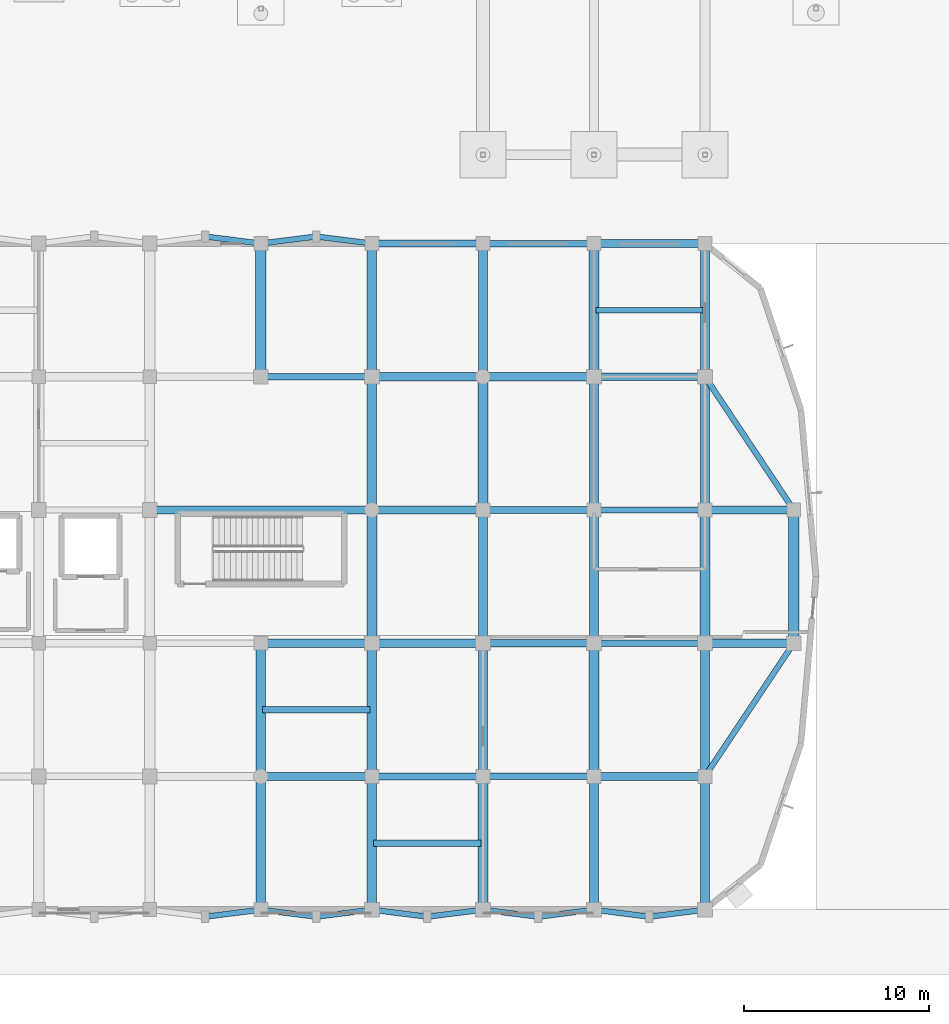
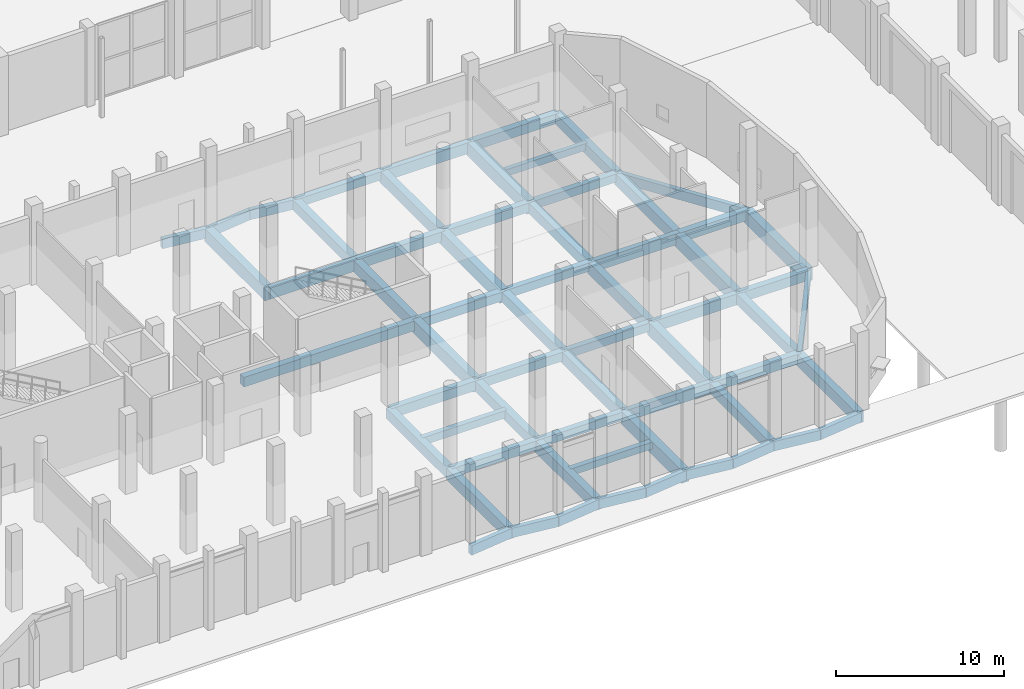
# One storey, part 46 of 103: 62 beams.
"""IFC4 building model written with IfcOpenShell, lengths in metres."""

from ifc_helpers import new_model, si_unit, direction, frame, origin, origin_2d, place, context, subcontext, project, spatial, rectangle, extrude, material, material_profile, profile_set, type_object, element, save


model = new_model("IFC4")

# Units and contexts
model_context = context("Model", 3, precision=1e-05, world=origin(), true_north=direction((0.0, 1.0)))
body_context = subcontext(model_context, "Body", "Model", "MODEL_VIEW")
ifc_project = project(units=[si_unit("LENGTHUNIT", "METRE"), si_unit("AREAUNIT", "SQUARE_METRE"), si_unit("VOLUMEUNIT", "CUBIC_METRE"), si_unit("PLANEANGLEUNIT", "RADIAN"), si_unit("MASSUNIT", "GRAM", prefix="KILO")], contexts=[model_context])

# Site, building, storey
site_placement = place(None, origin())
site = spatial("IfcSite", under=ifc_project, at=site_placement, CompositionType="ELEMENT")
building_placement = place(site_placement, origin())
building = spatial("IfcBuilding", under=site, at=building_placement, Name="Dunvalen Ferry Terminal", CompositionType="ELEMENT")
storey_placement = place(building_placement, origin())
storey = spatial("IfcBuildingStorey", under=building, at=storey_placement, Name="L00", CompositionType="ELEMENT", Elevation=0.0)

# Beams
ifc_material_1 = material(Name="Concrete C35/45", Category="concrete")
ifc_material_profile_1 = material_profile(ifc_material_1, rectangle(XDim=0.300048828125, YDim=0.5, at=origin_2d()), Name="Concrete C35/45")
ifc_profile_set_1 = profile_set([ifc_material_profile_1], Name="Concrete C35/45")
beam_type_1 = type_object("IfcBeamType", Name="STR-BM-RCB500", PredefinedType="JOIST", material=ifc_profile_set_1)
beam_1_placement = place(storey_placement, frame((84.10009765625, 32.39990234375, -0.550048828125), z_axis=(1.0, 0.0, 0.0), x_axis=(0.0, 1.0, 0.0)))
element("IfcBeam", 1, at=beam_1_placement, inside=storey, type_object=beam_type_1, Name="L00 V5P0 Secondary Joist 008", PredefinedType="JOIST", context=body_context, shape_type="SweptSolid", body=[
    extrude(rectangle(XDim=0.300048828125, YDim=0.5, at=origin_2d()), origin(), (0.0, 0.0, 1.0), 5.7998046875),
])
ifc_material_profile_2 = material_profile(ifc_material_1, rectangle(XDim=0.35009765625, YDim=0.5, at=origin_2d()), Name="Concrete C35/45")
ifc_profile_set_2 = profile_set([ifc_material_profile_2], Name="Concrete C35/45")
beam_type_2 = type_object("IfcBeamType", Name="STR-BM-RCB500W", PredefinedType="JOIST", material=ifc_profile_set_2)
beam_2_placement = place(storey_placement, frame((72.10009765625, 3.60009765625, -0.550048828125), z_axis=(1.0, 0.0, 0.0), x_axis=(0.0, 1.0, 0.0)))
element("IfcBeam", 2, at=beam_2_placement, inside=storey, type_object=beam_type_2, Name="L00 V5P0 Secondary Joist 007", PredefinedType="JOIST", context=body_context, shape_type="SweptSolid", body=[
    extrude(rectangle(XDim=0.35009765625, YDim=0.5, at=origin_2d()), origin(), (0.0, 0.0, 1.0), 5.7998046875),
])
ifc_material_profile_3 = material_profile(ifc_material_1, rectangle(XDim=0.35009765625, YDim=0.550048828125, at=origin_2d()), Name="Concrete C35/45")
ifc_profile_set_3 = profile_set([ifc_material_profile_3], Name="Concrete C35/45")
beam_type_3 = type_object("IfcBeamType", Name="STR-BM-RCB550", PredefinedType="JOIST", material=ifc_profile_set_3)
beam_3_placement = place(storey_placement, frame((66.10009765625, 10.800048828125, -0.574951171875), z_axis=(1.0, 0.0, 0.0), x_axis=(0.0, 1.0, 0.0)))
element("IfcBeam", 3, at=beam_3_placement, inside=storey, type_object=beam_type_3, Name="L00 V5P0 Secondary Joist 006", PredefinedType="JOIST", context=body_context, shape_type="SweptSolid", body=[
    extrude(rectangle(XDim=0.35009765625, YDim=0.550048828125, at=origin_2d()), origin(), (0.0, 0.0, 1.0), 5.7998046875),
])
ifc_material_profile_4 = material_profile(ifc_material_1, rectangle(XDim=0.39990234375, YDim=0.60009765625, at=origin_2d()), Name="Concrete C35/45")
ifc_profile_set_4 = profile_set([ifc_material_profile_4], Name="Concrete C35/45")
beam_type_4 = type_object("IfcBeamType", Name="STR-BM-RCB600", PredefinedType="BEAM", material=ifc_profile_set_4)
for number, where, z_axis, x_axis, name in (
    (4, (72.0, 7.199951171875, -0.60009765625), (1.0, 0.0, 0.0), (0.0, 1.0, 0.0), "L00 V5P0 Primary Beam X-026"),
    (5, (78.0, 14.39990234375, -0.60009765625), (1.0, 0.0, 0.0), (0.0, 1.0, 0.0), "L00 V5P0 Primary Beam X-042"),
    (6, (78.0, 21.60009765625, -0.60009765625), (1.0, 0.0, 0.0), (0.0, 1.0, 0.0), "L00 V5P0 Primary Beam X-050"),
    (7, (84.0, 28.800048828125, -0.60009765625), (1.0, 0.0, 0.0), (0.0, 1.0, 0.0), "L00 V5P0 Primary Beam X-066"),
    (8, (72.0, 36.0, -0.60009765625), (1.0, 0.0, 0.0), (0.0, 1.0, 0.0), "L00 V5P0 Primary Beam X-078"),
):
    element("IfcBeam", number, at=place(storey_placement, frame(where, z_axis=z_axis, x_axis=x_axis)), inside=storey, type_object=beam_type_4, Name=name, PredefinedType="BEAM", context=body_context, shape_type="SweptSolid", body=[
        extrude(rectangle(XDim=0.39990234375, YDim=0.60009765625, at=origin_2d()), origin(), (0.0, 0.0, 1.0), 6.0),
    ])
ifc_material_2 = material(Name="Concrete C40/50", Category="concrete")
ifc_material_profile_5 = material_profile(ifc_material_2, rectangle(XDim=0.449951171875, YDim=0.64990234375, at=origin_2d()), Name="Concrete C40/50")
ifc_profile_set_5 = profile_set([ifc_material_profile_5], Name="Concrete C40/50")
beam_type_5 = type_object("IfcBeamType", Name="STR-BM-RCB650W", PredefinedType="BEAM", material=ifc_profile_set_5)
for number, where, z_axis, x_axis, name in (
    (9, (66.0, 7.199951171875, -0.625), (1.0, 0.0, 0.0), (0.0, 1.0, 0.0), "L00 V5P0 Primary Beam X-025"),
    (10, (72.0, 14.39990234375, -0.625), (1.0, 0.0, 0.0), (0.0, 1.0, 0.0), "L00 V5P0 Primary Beam X-041"),
    (11, (72.0, 21.60009765625, -0.625), (1.0, 0.0, 0.0), (0.0, 1.0, 0.0), "L00 V5P0 Primary Beam X-049"),
    (12, (78.0, 28.800048828125, -0.625), (1.0, 0.0, 0.0), (0.0, 1.0, 0.0), "L00 V5P0 Primary Beam X-065"),
):
    element("IfcBeam", number, at=place(storey_placement, frame(where, z_axis=z_axis, x_axis=x_axis)), inside=storey, type_object=beam_type_5, Name=name, PredefinedType="BEAM", context=body_context, shape_type="SweptSolid", body=[
        extrude(rectangle(XDim=0.449951171875, YDim=0.64990234375, at=origin_2d()), origin(), (0.0, 0.0, 1.0), 6.0),
    ])
ifc_material_profile_6 = material_profile(ifc_material_2, rectangle(XDim=0.449951171875, YDim=0.699951171875, at=origin_2d()), Name="Concrete C40/50")
ifc_profile_set_6 = profile_set([ifc_material_profile_6], Name="Concrete C40/50")
beam_type_6 = type_object("IfcBeamType", Name="STR-BM-RCB700", PredefinedType="BEAM", material=ifc_profile_set_6)
for number, where, z_axis, x_axis, name in (
    (13, (84.0, 7.199951171875, -0.64990234375), (1.0, 0.0, 0.0), (0.0, 1.0, 0.0), "L00 V5P0 Primary Beam X-028"),
    (14, (66.0, 14.39990234375, -0.64990234375), (1.0, 0.0, 0.0), (0.0, 1.0, 0.0), "L00 V5P0 Primary Beam X-040"),
):
    element("IfcBeam", number, at=place(storey_placement, frame(where, z_axis=z_axis, x_axis=x_axis)), inside=storey, type_object=beam_type_6, Name=name, PredefinedType="BEAM", context=body_context, shape_type="SweptSolid", body=[
        extrude(rectangle(XDim=0.449951171875, YDim=0.699951171875, at=origin_2d()), origin(), (0.0, 0.0, 1.0), 6.0),
    ])
beam_4_placement = place(storey_placement, frame((90.0, 14.39990234375, -0.64990234375), z_axis=(1.0, 0.0, 0.0), x_axis=(0.0, 1.0, 0.0)))
element("IfcBeam", 15, at=beam_4_placement, inside=storey, type_object=beam_type_6, Name="L00 V5P0 Primary Beam X-044", PredefinedType="BEAM", context=body_context, shape_type="SweptSolid", body=[
    extrude(rectangle(XDim=0.449951171875, YDim=0.699951171875, at=origin_2d()), origin(), (0.0, 0.0, 1.0), 4.800048828125),
])
beam_5_placement = place(storey_placement, frame((60.0, 21.60009765625, -0.64990234375), z_axis=(1.0, 0.0, 0.0), x_axis=(0.0, 1.0, 0.0)))
element("IfcBeam", 16, at=beam_5_placement, inside=storey, type_object=beam_type_6, Name="L00 V5P0 Primary Beam X-048", PredefinedType="BEAM", context=body_context, shape_type="SweptSolid", body=[
    extrude(rectangle(XDim=0.449951171875, YDim=0.699951171875, at=origin_2d()), origin(), (0.0, 0.0, 1.0), 12.0),
])
beam_6_placement = place(storey_placement, frame((90.0, 21.60009765625, -0.64990234375), z_axis=(1.0, 0.0, 0.0), x_axis=(0.0, 1.0, 0.0)))
element("IfcBeam", 17, at=beam_6_placement, inside=storey, type_object=beam_type_6, Name="L00 V5P0 Primary Beam X-052", PredefinedType="BEAM", context=body_context, shape_type="SweptSolid", body=[
    extrude(rectangle(XDim=0.449951171875, YDim=0.699951171875, at=origin_2d()), origin(), (0.0, 0.0, 1.0), 4.800048828125),
])
for number, where, z_axis, x_axis, name in (
    (18, (72.0, 28.800048828125, -0.64990234375), (1.0, 0.0, 0.0), (0.0, 1.0, 0.0), "L00 V5P0 Primary Beam X-064"),
    (19, (84.0, 36.0, -0.64990234375), (1.0, 0.0, 0.0), (0.0, 1.0, 0.0), "L00 V5P0 Primary Beam X-080"),
):
    element("IfcBeam", number, at=place(storey_placement, frame(where, z_axis=z_axis, x_axis=x_axis)), inside=storey, type_object=beam_type_6, Name=name, PredefinedType="BEAM", context=body_context, shape_type="SweptSolid", body=[
        extrude(rectangle(XDim=0.449951171875, YDim=0.699951171875, at=origin_2d()), origin(), (0.0, 0.0, 1.0), 6.0),
    ])
ifc_material_profile_7 = material_profile(ifc_material_2, rectangle(XDim=0.5, YDim=0.75, at=origin_2d()), Name="Concrete C40/50")
ifc_profile_set_7 = profile_set([ifc_material_profile_7], Name="Concrete C40/50")
beam_type_7 = type_object("IfcBeamType", Name="STR-BM-RCB750", PredefinedType="BEAM", material=ifc_profile_set_7)
for number, where, z_axis, x_axis, name in (
    (20, (66.0, 7.199951171875, -0.675048828125), (0.0, 1.0, 0.0), (-1.0, 0.0, 0.0), "L00 V5P0 Primary Girder Y-122"),
    (21, (72.0, 7.199951171875, -0.675048828125), (0.0, 1.0, 0.0), (-1.0, 0.0, 0.0), "L00 V5P0 Primary Girder Y-125"),
    (22, (72.0, 28.800048828125, -0.675048828125), (0.0, 1.0, 0.0), (-1.0, 0.0, 0.0), "L00 V5P0 Primary Girder Y-128"),
):
    element("IfcBeam", number, at=place(storey_placement, frame(where, z_axis=z_axis, x_axis=x_axis)), inside=storey, type_object=beam_type_7, Name=name, PredefinedType="BEAM", context=body_context, shape_type="SweptSolid", body=[
        extrude(rectangle(XDim=0.5, YDim=0.75, at=origin_2d()), origin(), (0.0, 0.0, 1.0), 7.199951171875),
    ])
beam_7_placement = place(storey_placement, frame((78.0, 14.39990234375, -0.675048828125), z_axis=(0.0, 1.0, 0.0), x_axis=(-1.0, 0.0, 0.0)))
element("IfcBeam", 23, at=beam_7_placement, inside=storey, type_object=beam_type_7, Name="L00 V5P0 Primary Girder Y-131", PredefinedType="BEAM", context=body_context, shape_type="SweptSolid", body=[
    extrude(rectangle(XDim=0.5, YDim=0.75, at=origin_2d()), origin(), (0.0, 0.0, 1.0), 7.2001953125),
])
for number, where, z_axis, x_axis, name in (
    (24, (84.0, 0.0, -0.675048828125), (0.0, 1.0, 0.0), (-1.0, 0.0, 0.0), "L00 V5P0 Primary Girder Y-134"),
    (25, (84.0, 21.60009765625, -0.675048828125), (0.0, 1.0, 0.0), (-1.0, 0.0, 0.0), "L00 V5P0 Primary Girder Y-137"),
    (26, (90.0, 7.199951171875, -0.675048828125), (0.0, 1.0, 0.0), (-1.0, 0.0, 0.0), "L00 V5P0 Primary Girder Y-140"),
    (27, (90.0, 28.800048828125, -0.675048828125), (0.0, 1.0, 0.0), (-1.0, 0.0, 0.0), "L00 V5P0 Primary Girder Y-143"),
):
    element("IfcBeam", number, at=place(storey_placement, frame(where, z_axis=z_axis, x_axis=x_axis)), inside=storey, type_object=beam_type_7, Name=name, PredefinedType="BEAM", context=body_context, shape_type="SweptSolid", body=[
        extrude(rectangle(XDim=0.5, YDim=0.75, at=origin_2d()), origin(), (0.0, 0.0, 1.0), 7.199951171875),
    ])
ifc_material_profile_8 = material_profile(ifc_material_2, rectangle(XDim=0.5, YDim=0.85009765625, at=origin_2d()), Name="Concrete C40/50")
ifc_profile_set_8 = profile_set([ifc_material_profile_8], Name="Concrete C40/50")
beam_type_8 = type_object("IfcBeamType", Name="STR-BM-RCG850", PredefinedType="BEAM", material=ifc_profile_set_8)
for number, where, z_axis, x_axis, name in (
    (28, (66.0, 0.0, -0.72509765625), (0.0, 1.0, 0.0), (-1.0, 0.0, 0.0), "L00 V5P0 Primary Girder Y-121"),
    (29, (72.0, 0.0, -0.72509765625), (0.0, 1.0, 0.0), (-1.0, 0.0, 0.0), "L00 V5P0 Primary Girder Y-124"),
    (30, (72.0, 21.60009765625, -0.72509765625), (0.0, 1.0, 0.0), (-1.0, 0.0, 0.0), "L00 V5P0 Primary Girder Y-127"),
    (31, (78.0, 7.199951171875, -0.72509765625), (0.0, 1.0, 0.0), (-1.0, 0.0, 0.0), "L00 V5P0 Primary Girder Y-130"),
    (32, (78.0, 28.800048828125, -0.72509765625), (0.0, 1.0, 0.0), (-1.0, 0.0, 0.0), "L00 V5P0 Primary Girder Y-133"),
):
    element("IfcBeam", number, at=place(storey_placement, frame(where, z_axis=z_axis, x_axis=x_axis)), inside=storey, type_object=beam_type_8, Name=name, PredefinedType="BEAM", context=body_context, shape_type="SweptSolid", body=[
        extrude(rectangle(XDim=0.5, YDim=0.85009765625, at=origin_2d()), origin(), (0.0, 0.0, 1.0), 7.199951171875),
    ])
beam_8_placement = place(storey_placement, frame((84.0, 14.39990234375, -0.72509765625), z_axis=(0.0, 1.0, 0.0), x_axis=(-1.0, 0.0, 0.0)))
element("IfcBeam", 33, at=beam_8_placement, inside=storey, type_object=beam_type_8, Name="L00 V5P0 Primary Girder Y-136", PredefinedType="BEAM", context=body_context, shape_type="SweptSolid", body=[
    extrude(rectangle(XDim=0.5, YDim=0.85009765625, at=origin_2d()), origin(), (0.0, 0.0, 1.0), 7.2001953125),
])
for number, where, z_axis, x_axis, name in (
    (34, (90.0, 0.0, -0.72509765625), (0.0, 1.0, 0.0), (-1.0, 0.0, 0.0), "L00 V5P0 Primary Girder Y-139"),
    (35, (90.0, 21.60009765625, -0.72509765625), (0.0, 1.0, 0.0), (-1.0, 0.0, 0.0), "L00 V5P0 Primary Girder Y-142"),
):
    element("IfcBeam", number, at=place(storey_placement, frame(where, z_axis=z_axis, x_axis=x_axis)), inside=storey, type_object=beam_type_8, Name=name, PredefinedType="BEAM", context=body_context, shape_type="SweptSolid", body=[
        extrude(rectangle(XDim=0.5, YDim=0.85009765625, at=origin_2d()), origin(), (0.0, 0.0, 1.0), 7.199951171875),
    ])
ifc_material_profile_9 = material_profile(ifc_material_2, rectangle(XDim=0.550048828125, YDim=0.949951171875, at=origin_2d()), Name="Concrete C40/50")
ifc_profile_set_9 = profile_set([ifc_material_profile_9], Name="Concrete C40/50")
beam_type_9 = type_object("IfcBeamType", Name="STR-BM-RCG950", PredefinedType="BEAM", material=ifc_profile_set_9)
beam_9_placement = place(storey_placement, frame((66.0, 28.800048828125, -0.77490234375), z_axis=(0.0, 1.0, 0.0), x_axis=(-1.0, 0.0, 0.0)))
element("IfcBeam", 36, at=beam_9_placement, inside=storey, type_object=beam_type_9, Name="L00 V5P0 Primary Girder Y-123", PredefinedType="BEAM", context=body_context, shape_type="SweptSolid", body=[
    extrude(rectangle(XDim=0.550048828125, YDim=0.949951171875, at=origin_2d()), origin(), (0.0, 0.0, 1.0), 7.199951171875),
])
beam_10_placement = place(storey_placement, frame((72.0, 14.39990234375, -0.77490234375), z_axis=(0.0, 1.0, 0.0), x_axis=(-1.0, 0.0, 0.0)))
element("IfcBeam", 37, at=beam_10_placement, inside=storey, type_object=beam_type_9, Name="L00 V5P0 Primary Girder Y-126", PredefinedType="BEAM", context=body_context, shape_type="SweptSolid", body=[
    extrude(rectangle(XDim=0.550048828125, YDim=0.949951171875, at=origin_2d()), origin(), (0.0, 0.0, 1.0), 7.2001953125),
])
for number, where, z_axis, x_axis, name in (
    (38, (78.0, 0.0, -0.77490234375), (0.0, 1.0, 0.0), (-1.0, 0.0, 0.0), "L00 V5P0 Primary Girder Y-129"),
    (39, (78.0, 21.60009765625, -0.77490234375), (0.0, 1.0, 0.0), (-1.0, 0.0, 0.0), "L00 V5P0 Primary Girder Y-132"),
    (40, (84.0, 7.199951171875, -0.77490234375), (0.0, 1.0, 0.0), (-1.0, 0.0, 0.0), "L00 V5P0 Primary Girder Y-135"),
    (41, (84.0, 28.800048828125, -0.77490234375), (0.0, 1.0, 0.0), (-1.0, 0.0, 0.0), "L00 V5P0 Primary Girder Y-138"),
):
    element("IfcBeam", number, at=place(storey_placement, frame(where, z_axis=z_axis, x_axis=x_axis)), inside=storey, type_object=beam_type_9, Name=name, PredefinedType="BEAM", context=body_context, shape_type="SweptSolid", body=[
        extrude(rectangle(XDim=0.550048828125, YDim=0.949951171875, at=origin_2d()), origin(), (0.0, 0.0, 1.0), 7.199951171875),
    ])
for number, where, z_axis, x_axis, name in (
    (42, (90.0, 14.39990234375, -0.77490234375), (0.0, 1.0, 0.0), (-1.0, 0.0, 0.0), "L00 V5P0 Primary Girder Y-141"),
    (43, (94.800048828125, 14.39990234375, -0.77490234375), (0.0, 1.0, 0.0), (-1.0, 0.0, 0.0), "L00 V5P0 Primary Girder Y-144"),
):
    element("IfcBeam", number, at=place(storey_placement, frame(where, z_axis=z_axis, x_axis=x_axis)), inside=storey, type_object=beam_type_9, Name=name, PredefinedType="BEAM", context=body_context, shape_type="SweptSolid", body=[
        extrude(rectangle(XDim=0.550048828125, YDim=0.949951171875, at=origin_2d()), origin(), (0.0, 0.0, 1.0), 7.2001953125),
    ])
ifc_material_profile_10 = material_profile(ifc_material_2, rectangle(XDim=0.300048828125, YDim=0.699951171875, at=origin_2d()), Name="Concrete C40/50")
ifc_profile_set_10 = profile_set([ifc_material_profile_10], Name="Concrete C40/50")
beam_type_10 = type_object("IfcBeamType", Name="STR-BM-RCSP700", PredefinedType="SPANDREL", material=ifc_profile_set_10)
for number, where, z_axis, x_axis, name in (
    (44, (63.0, -0.3798828125, -0.64990234375), (0.992077869489, 0.12562444376, 0.0), (-0.12562444376, 0.992077869489, 0.0), "L00 Forecourt Pilaster Spandrel Tie 10.2"),
    (45, (66.0, 0.0, -0.64990234375), (0.992077869489, -0.12562444376, 0.0), (0.12562444376, 0.992077869489, 0.0), "L00 Forecourt Pilaster Spandrel Tie 11.1"),
    (46, (69.0, -0.3798828125, -0.64990234375), (0.992077869489, 0.12562444376, 0.0), (-0.12562444376, 0.992077869489, 0.0), "L00 Forecourt Pilaster Spandrel Tie 11.2"),
    (47, (72.0, 0.0, -0.64990234375), (0.992077869489, -0.12562444376, 0.0), (0.12562444376, 0.992077869489, 0.0), "L00 Forecourt Pilaster Spandrel Tie 12.1"),
    (48, (75.0, -0.3798828125, -0.64990234375), (0.992077869489, 0.12562444376, 0.0), (-0.12562444376, 0.992077869489, 0.0), "L00 Forecourt Pilaster Spandrel Tie 12.2"),
    (49, (78.0, 0.0, -0.64990234375), (0.992077869489, -0.12562444376, 0.0), (0.12562444376, 0.992077869489, 0.0), "L00 Forecourt Pilaster Spandrel Tie 13.1"),
    (50, (81.0, -0.3798828125, -0.64990234375), (0.992077869489, 0.12562444376, 0.0), (-0.12562444376, 0.992077869489, 0.0), "L00 Forecourt Pilaster Spandrel Tie 13.2"),
    (51, (84.0, 0.0, -0.64990234375), (0.992077869489, -0.12562444376, 0.0), (0.12562444376, 0.992077869489, 0.0), "L00 Forecourt Pilaster Spandrel Tie 14.1"),
    (52, (87.0, -0.3798828125, -0.64990234375), (0.992077869489, 0.12562444376, 0.0), (-0.12562444376, 0.992077869489, 0.0), "L00 Forecourt Pilaster Spandrel Tie 14.2"),
    (53, (63.0, 36.3798828125, -0.64990234375), (0.992077869489, -0.12562444376, 0.0), (0.12562444376, 0.992077869489, 0.0), "L00 Passage Pilaster Spandrel Tie 09.2"),
    (54, (66.0, 36.0, -0.64990234375), (0.992077869489, 0.12562444376, 0.0), (-0.12562444376, 0.992077869489, 0.0), "L00 Passage Pilaster Spandrel Tie 10.1"),
    (55, (69.0, 36.3798828125, -0.64990234375), (0.992077869489, -0.12562444376, 0.0), (0.12562444376, 0.992077869489, 0.0), "L00 Passage Pilaster Spandrel Tie 10.2"),
):
    element("IfcBeam", number, at=place(storey_placement, frame(where, z_axis=z_axis, x_axis=x_axis)), inside=storey, type_object=beam_type_10, Name=name, PredefinedType="SPANDREL", context=body_context, shape_type="SweptSolid", body=[
        extrude(rectangle(XDim=0.300048828125, YDim=0.699951171875, at=origin_2d()), origin(), (0.0, 0.0, 1.0), 3.02392578125),
    ])
for number, where, z_axis, x_axis, name in (
    (56, (90.0, 7.199951171875, -0.64990234375), (0.554706707029, 0.832045953765, 0.0), (-0.832045953765, 0.554706707029, 0.0), "L00 Prow Spandrel Beam EP1"),
    (57, (94.800048828125, 21.60009765625, -0.64990234375), (-0.554706707029, 0.832045953765, 0.0), (-0.832045953765, -0.554706707029, 0.0), "L00 Prow Spandrel Beam EP3"),
):
    element("IfcBeam", number, at=place(storey_placement, frame(where, z_axis=z_axis, x_axis=x_axis)), inside=storey, type_object=beam_type_10, Name=name, PredefinedType="SPANDREL", context=body_context, shape_type="SweptSolid", body=[
        extrude(rectangle(XDim=0.300048828125, YDim=0.699951171875, at=origin_2d()), origin(), (0.0, 0.0, 1.0), 8.6533203125),
    ])
ifc_material_profile_11 = material_profile(ifc_material_2, rectangle(XDim=0.35009765625, YDim=0.800048828125, at=origin_2d()), Name="Concrete C40/50")
ifc_profile_set_11 = profile_set([ifc_material_profile_11], Name="Concrete C40/50")
beam_type_11 = type_object("IfcBeamType", Name="STR-BM-RCSP800", PredefinedType="SPANDREL", material=ifc_profile_set_11)
for number, where, z_axis, x_axis, name in (
    (58, (78.0, 7.199951171875, -0.699951171875), (1.0, 0.0, 0.0), (0.0, 1.0, 0.0), "L00 V5P0 Primary Beam X-027"),
    (59, (84.0, 14.39990234375, -0.699951171875), (1.0, 0.0, 0.0), (0.0, 1.0, 0.0), "L00 V5P0 Primary Beam X-043"),
    (60, (84.0, 21.60009765625, -0.699951171875), (1.0, 0.0, 0.0), (0.0, 1.0, 0.0), "L00 V5P0 Primary Beam X-051"),
    (61, (66.0, 28.800048828125, -0.699951171875), (1.0, 0.0, 0.0), (0.0, 1.0, 0.0), "L00 V5P0 Primary Beam X-063"),
    (62, (78.0, 36.0, -0.699951171875), (1.0, 0.0, 0.0), (0.0, 1.0, 0.0), "L00 V5P0 Primary Beam X-079"),
):
    element("IfcBeam", number, at=place(storey_placement, frame(where, z_axis=z_axis, x_axis=x_axis)), inside=storey, type_object=beam_type_11, Name=name, PredefinedType="SPANDREL", context=body_context, shape_type="SweptSolid", body=[
        extrude(rectangle(XDim=0.35009765625, YDim=0.800048828125, at=origin_2d()), origin(), (0.0, 0.0, 1.0), 6.0),
    ])

save(model, "model.ifc")
